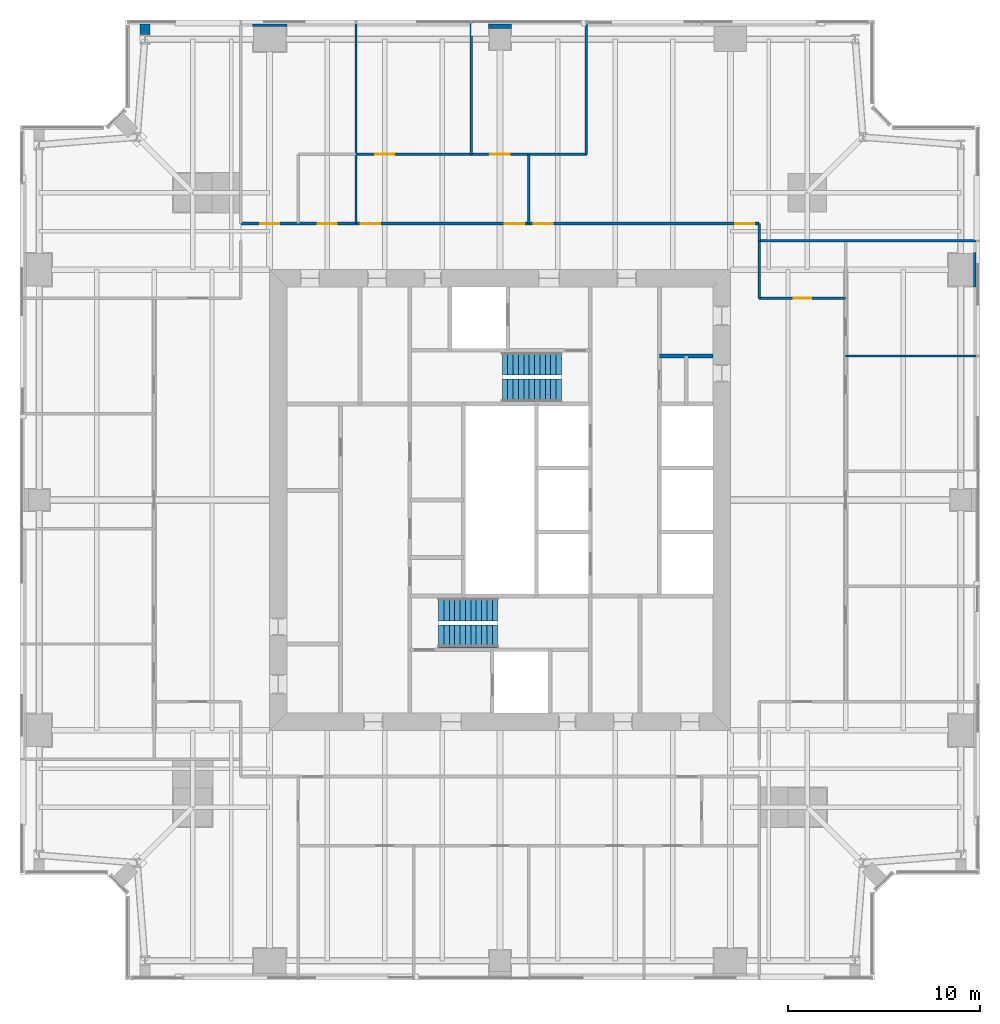
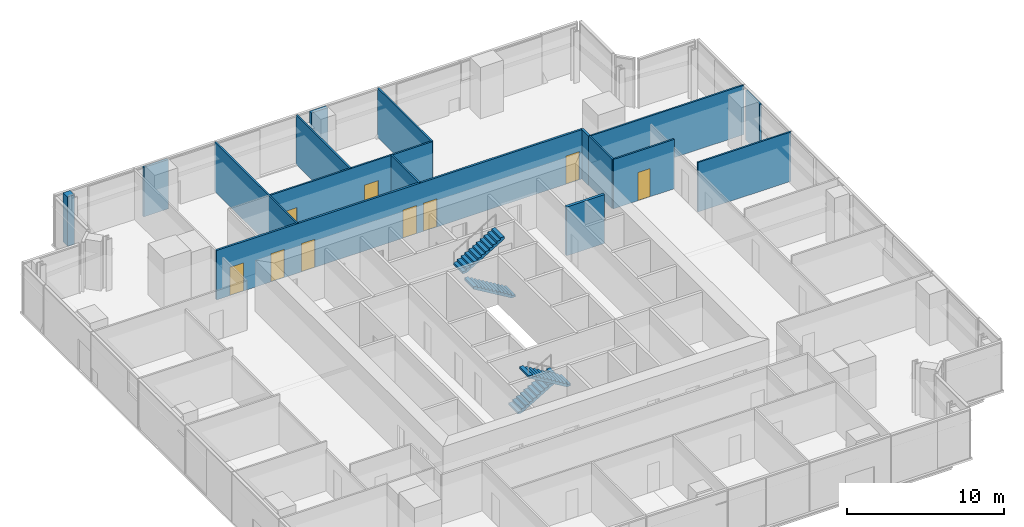
# One storey, part 12 of 14: 16 walls, 9 doors, 4 stair flights, 9 openings, 2 elements without a shape of their own.
"""IFC4 building model written with IfcOpenShell, lengths in metres."""

from ifc_helpers import new_model, si_unit, direction, frame, frame_2d, origin, place, context, subcontext, project, spatial, polyline, rectangle, outline, extrude, material, layer, layer_set, type_object, element, fill, aggregate, save


model = new_model("IFC4")

# Units and contexts
model_context = context("Model", 3, precision=1e-05, world=origin(), true_north=direction((0.0, 1.0)))
body_context = subcontext(model_context, "Body", "Model", "MODEL_VIEW")
ifc_project = project(units=[si_unit("LENGTHUNIT", "METRE"), si_unit("AREAUNIT", "SQUARE_METRE"), si_unit("VOLUMEUNIT", "CUBIC_METRE"), si_unit("PLANEANGLEUNIT", "RADIAN"), si_unit("MASSUNIT", "GRAM", prefix="KILO")], contexts=[model_context])

# Site, building, storey
site_placement = place(None, origin())
site = spatial("IfcSite", under=ifc_project, at=site_placement, CompositionType="ELEMENT")
building_placement = place(site_placement, origin())
building = spatial("IfcBuilding", under=site, at=building_placement, Name="Fenwick Lantern Interchange", CompositionType="ELEMENT")
storey_placement = place(building_placement, frame((0.0, 0.0, 225.800048828125)))
storey = spatial("IfcBuildingStorey", under=building, at=storey_placement, Name="L53", CompositionType="ELEMENT", Elevation=225.800048828125)

# Walls
ifc_material_1 = material(Name="Fire-rated gypsum board encasement on steel studs, 2 hour", Category="steel")
ifc_layer_1 = layer(ifc_material_1, 1.199951171875)
ifc_layer_set_1 = layer_set([ifc_layer_1], Name="COLUMN PIER 1200")
wall_type_1 = type_object("IfcWallType", Name="COLUMN PIER 1200", PredefinedType="PARTITIONING", material=ifc_layer_set_1)
wall_1_placement = place(storey_placement, frame((25.0, 49.800048828125, 0.0), z_axis=(0.0, 0.0, 1.0), x_axis=(0.0, -1.0, 0.0)))
element("IfcWall", 1, at=wall_1_placement, inside=storey, type_object=wall_type_1, Name="L53/W/PIER/CN3", PredefinedType="PARTITIONING", context=body_context, shape_type="SweptSolid", body=[
    extrude(rectangle(XDim=0.25, YDim=1.199951171875, at=frame_2d((0.125, 0.0))), origin(), (0.0, 0.0, 1.0), 3.849853515625),
])
ifc_layer_2 = layer(ifc_material_1, 1.800048828125)
ifc_layer_set_2 = layer_set([ifc_layer_2], Name="COLUMN PIER 1800")
wall_type_2 = type_object("IfcWallType", Name="COLUMN PIER 1800", PredefinedType="PARTITIONING", material=ifc_layer_set_2)
for number, where, z_axis, x_axis, name in (
    (2, (49.800048828125, 37.0, 0.0), (0.0, 0.0, 1.0), (-1.0, 0.0, 0.0), "L53/W/PIER/CE4"),
    (3, (13.0, 49.800048828125, 0.0), (0.0, 0.0, 1.0), (0.0, -1.0, 0.0), "L53/W/PIER/CN4"),
):
    element("IfcWall", number, at=place(storey_placement, frame(where, z_axis=z_axis, x_axis=x_axis)), inside=storey, type_object=wall_type_2, Name=name, PredefinedType="PARTITIONING", context=body_context, shape_type="SweptSolid", body=[
        extrude(rectangle(XDim=0.150146484375, YDim=1.800048828125, at=frame_2d((0.0751953125, 0.0))), origin(), (0.0, 0.0, 1.0), 3.849853515625),
    ])
ifc_layer_3 = layer(ifc_material_1, 0.52392578125)
ifc_layer_set_3 = layer_set([ifc_layer_3], Name="COLUMN PIER 524")
wall_type_3 = type_object("IfcWallType", Name="COLUMN PIER 524", PredefinedType="PARTITIONING", material=ifc_layer_set_3)
wall_2_placement = place(storey_placement, frame((6.5, 49.800048828125, 0.0), z_axis=(0.0, 0.0, 1.0), x_axis=(0.0, -1.0, 0.0)))
element("IfcWall", 4, at=wall_2_placement, inside=storey, type_object=wall_type_3, Name="L53/W/PIER/CN5", PredefinedType="PARTITIONING", context=body_context, shape_type="SweptSolid", body=[
    extrude(rectangle(XDim=0.5625, YDim=0.52392578125, at=frame_2d((0.28125, 0.0))), origin(), (0.0, 0.0, 1.0), 3.849853515625),
])
ifc_material_2 = material(Name="Concrete masonry ASTM C90 Grade N", Category="masonry")
ifc_layer_4 = layer(ifc_material_2, 0.199951171875)
ifc_layer_set_4 = layer_set([ifc_layer_4], Name="Concrete masonry ASTM C90 Grade N")
wall_type_4 = type_object("IfcWallType", Name="CORE PARTITION 200", PredefinedType="PARTITIONING", material=ifc_layer_set_4)
wall_3_placement = place(storey_placement, frame((36.10009765625, 32.5, 0.0), z_axis=(0.0, 0.0, 1.0), x_axis=(-1.0, 0.0, 0.0)))
element("IfcWall", 5, at=wall_3_placement, inside=storey, type_object=wall_type_4, Name="L53/W/COREN/p1", PredefinedType="PARTITIONING", context=body_context, shape_type="SweptSolid", body=[
    extrude(rectangle(XDim=2.800048828125, YDim=0.199951171875, at=frame_2d((1.39990234375, 0.0))), origin(), (0.0, 0.0, 1.0), 3.800048828125),
])
ifc_material_3 = material(Name="Gypsum board on steel studs, 1 hour", Category="steel")
ifc_layer_5 = layer(ifc_material_3, 0.14990234375)
ifc_layer_set_5 = layer_set([ifc_layer_5], Name="CORRIDOR WALL 150")
wall_type_5 = type_object("IfcWallType", Name="CORRIDOR WALL 150", PredefinedType="PARTITIONING", material=ifc_layer_set_5)
wall_4_placement = place(storey_placement, frame((38.5, 38.5, 0.0), z_axis=(0.0, 0.0, 1.0), x_axis=(0.0, 1.0, 0.0)))
element("IfcWall", 6, at=wall_4_placement, inside=storey, type_object=wall_type_5, Name="L53/W/OFF/N/CWJ", PredefinedType="PARTITIONING", context=body_context, shape_type="SweptSolid", body=[
    extrude(rectangle(XDim=0.89990234375, YDim=0.14990234375, at=frame_2d((0.449951171875, 0.0))), origin(), (0.0, 0.0, 1.0), 3.849853515625),
])

# Wall, openings, doors
wall_5_placement = place(storey_placement, frame((38.5, 39.39990234375, 0.0), z_axis=(0.0, 0.0, 1.0), x_axis=(-1.0, 0.0, 0.0)))
wall_5 = element("IfcWall", 7, at=wall_5_placement, inside=storey, type_object=wall_type_5, Name="L53/W/OFF/N/CW2", PredefinedType="PARTITIONING", context=body_context, shape_type="SweptSolid", body=[
    extrude(rectangle(XDim=27.0, YDim=0.14990234375, at=frame_2d((13.5, 0.0))), origin(), (0.0, 0.0, 1.0), 3.849853515625),
])
opening_1_placement = place(wall_5_placement, frame((12.25, 0.0, 0.0)))
opening_1 = element("IfcOpeningElement", 8, at=opening_1_placement, cuts=wall_5, Name="Opening L53-D036", PredefinedType="OPENING", context=body_context, shape_type="SweptSolid", body=[
    extrude(rectangle(XDim=1.0, YDim=2.199951171875, at=frame_2d((0.5, 1.10009765625))), frame((0.0, 0.0849609375, 0.0), z_axis=(0.0, -1.0, 0.0), x_axis=(1.0, 0.0, 0.0)), (0.0, 0.0, 1.0), 0.169921875),
])
opening_2_placement = place(wall_5_placement, frame((19.75, 0.0, 0.0)))
opening_2 = element("IfcOpeningElement", 9, at=opening_2_placement, cuts=wall_5, Name="Opening L53-D037", PredefinedType="OPENING", context=body_context, shape_type="SweptSolid", body=[
    extrude(rectangle(XDim=1.0, YDim=2.199951171875, at=frame_2d((0.5, 1.10009765625))), frame((0.0, 0.0849609375, 0.0), z_axis=(0.0, -1.0, 0.0), x_axis=(1.0, 0.0, 0.0)), (0.0, 0.0, 1.0), 0.169921875),
])
opening_3_placement = place(wall_5_placement, frame((0.25, 0.0, 0.0)))
opening_3 = element("IfcOpeningElement", 10, at=opening_3_placement, cuts=wall_5, Name="Opening L53-D040", PredefinedType="OPENING", context=body_context, shape_type="SweptSolid", body=[
    extrude(rectangle(XDim=1.0, YDim=2.199951171875, at=frame_2d((0.5, 1.10009765625))), frame((0.0, 0.0849609375, 0.0), z_axis=(0.0, -1.0, 0.0), x_axis=(1.0, 0.0, 0.0)), (0.0, 0.0, 1.0), 0.169921875),
])
opening_4_placement = place(wall_5_placement, frame((10.75, 0.0, 0.0)))
opening_4 = element("IfcOpeningElement", 11, at=opening_4_placement, cuts=wall_5, Name="Opening L53-D041", PredefinedType="OPENING", context=body_context, shape_type="SweptSolid", body=[
    extrude(rectangle(XDim=1.0, YDim=2.199951171875, at=frame_2d((0.5, 1.10009765625))), frame((0.0, 0.0849609375, 0.0), z_axis=(0.0, -1.0, 0.0), x_axis=(1.0, 0.0, 0.0)), (0.0, 0.0, 1.0), 0.169921875),
])
opening_5_placement = place(wall_5_placement, frame((22.0, 0.0, 0.0)))
opening_5 = element("IfcOpeningElement", 12, at=opening_5_placement, cuts=wall_5, Name="Opening L53-D042", PredefinedType="OPENING", context=body_context, shape_type="SweptSolid", body=[
    extrude(rectangle(XDim=1.0, YDim=2.199951171875, at=frame_2d((0.5, 1.10009765625))), frame((0.0, 0.0849609375, 0.0), z_axis=(0.0, -1.0, 0.0), x_axis=(1.0, 0.0, 0.0)), (0.0, 0.0, 1.0), 0.169921875),
])
opening_6_placement = place(wall_5_placement, frame((25.0, 0.0, 0.0)))
opening_6 = element("IfcOpeningElement", 13, at=opening_6_placement, cuts=wall_5, Name="Opening L53-D043", PredefinedType="OPENING", context=body_context, shape_type="SweptSolid", body=[
    extrude(rectangle(XDim=1.0, YDim=2.199951171875, at=frame_2d((0.5, 1.10009765625))), frame((0.0, 0.0849609375, 0.0), z_axis=(0.0, -1.0, 0.0), x_axis=(1.0, 0.0, 0.0)), (0.0, 0.0, 1.0), 0.169921875),
])
ifc_material_4 = material(Name="Steel door and frame", Category="steel")
door_type_1 = type_object("IfcDoorType", Name="SUITE ENTRANCE DOOR 1000 X 2200", OperationType="SINGLE_SWING_LEFT", PredefinedType="DOOR", material=ifc_material_4)
door_1_placement = place(opening_1_placement, origin())
door_1 = element("IfcDoor", 14, at=door_1_placement, inside=storey, type_object=door_type_1, Name="Suite entrance door", OperationType="SINGLE_SWING_LEFT", OverallHeight=2.199951171875, OverallWidth=1.0, PredefinedType="DOOR", context=body_context, shape_type="SweptSolid", body=[
    extrude(rectangle(XDim=1.0, YDim=2.199951171875, at=frame_2d((0.5, 1.10009765625))), frame((0.0, 0.02490234375, 0.0), z_axis=(0.0, -1.0, 0.0), x_axis=(1.0, 0.0, 0.0)), (0.0, 0.0, 1.0), 0.050048828125),
])
fill(opening_1, door_1)
door_2_placement = place(opening_2_placement, origin())
door_2 = element("IfcDoor", 15, at=door_2_placement, inside=storey, type_object=door_type_1, Name="Suite entrance door", OperationType="SINGLE_SWING_RIGHT", OverallHeight=2.199951171875, OverallWidth=1.0, PredefinedType="DOOR", context=body_context, shape_type="SweptSolid", body=[
    extrude(rectangle(XDim=1.0, YDim=2.199951171875, at=frame_2d((0.5, 1.10009765625))), frame((0.0, 0.02490234375, 0.0), z_axis=(0.0, -1.0, 0.0), x_axis=(1.0, 0.0, 0.0)), (0.0, 0.0, 1.0), 0.050048828125),
])
fill(opening_2, door_2)
door_3_placement = place(opening_3_placement, origin())
door_3 = element("IfcDoor", 16, at=door_3_placement, inside=storey, type_object=door_type_1, Name="Suite entrance door", OperationType="SINGLE_SWING_LEFT", OverallHeight=2.199951171875, OverallWidth=1.0, PredefinedType="DOOR", context=body_context, shape_type="SweptSolid", body=[
    extrude(rectangle(XDim=1.0, YDim=2.199951171875, at=frame_2d((0.5, 1.10009765625))), frame((0.0, 0.02490234375, 0.0), z_axis=(0.0, -1.0, 0.0), x_axis=(1.0, 0.0, 0.0)), (0.0, 0.0, 1.0), 0.050048828125),
])
fill(opening_3, door_3)
door_4_placement = place(opening_4_placement, origin())
door_4 = element("IfcDoor", 17, at=door_4_placement, inside=storey, type_object=door_type_1, Name="Suite entrance door", OperationType="SINGLE_SWING_LEFT", OverallHeight=2.199951171875, OverallWidth=1.0, PredefinedType="DOOR", context=body_context, shape_type="SweptSolid", body=[
    extrude(rectangle(XDim=1.0, YDim=2.199951171875, at=frame_2d((0.5, 1.10009765625))), frame((0.0, 0.02490234375, 0.0), z_axis=(0.0, -1.0, 0.0), x_axis=(1.0, 0.0, 0.0)), (0.0, 0.0, 1.0), 0.050048828125),
])
fill(opening_4, door_4)
door_5_placement = place(opening_5_placement, frame((1.0, 0.0, 0.0), z_axis=(0.0, 0.0, 1.0), x_axis=(-1.0, 0.0, 0.0)))
door_5 = element("IfcDoor", 18, at=door_5_placement, inside=storey, type_object=door_type_1, Name="Suite entrance door", OperationType="SINGLE_SWING_RIGHT", OverallHeight=2.199951171875, OverallWidth=1.0, PredefinedType="DOOR", context=body_context, shape_type="SweptSolid", body=[
    extrude(rectangle(XDim=1.0, YDim=2.199951171875, at=frame_2d((0.5, 1.10009765625))), frame((0.0, 0.02490234375, 0.0), z_axis=(0.0, -1.0, 0.0), x_axis=(1.0, 0.0, 0.0)), (0.0, 0.0, 1.0), 0.050048828125),
])
fill(opening_5, door_5)
door_6_placement = place(opening_6_placement, frame((1.0, 0.0, 0.0), z_axis=(0.0, 0.0, 1.0), x_axis=(-1.0, 0.0, 0.0)))
door_6 = element("IfcDoor", 19, at=door_6_placement, inside=storey, type_object=door_type_1, Name="Suite entrance door", OperationType="SINGLE_SWING_RIGHT", OverallHeight=2.199951171875, OverallWidth=1.0, PredefinedType="DOOR", context=body_context, shape_type="SweptSolid", body=[
    extrude(rectangle(XDim=1.0, YDim=2.199951171875, at=frame_2d((0.5, 1.10009765625))), frame((0.0, 0.02490234375, 0.0), z_axis=(0.0, -1.0, 0.0), x_axis=(1.0, 0.0, 0.0)), (0.0, 0.0, 1.0), 0.050048828125),
])
fill(opening_6, door_6)

# Wall
ifc_material_5 = material(Name="Gypsum board on steel studs, acoustic", Category="steel")
ifc_layer_6 = layer(ifc_material_5, 0.125)
ifc_layer_set_6 = layer_set([ifc_layer_6], Name="OFFICE PARTITION 125")
wall_type_6 = type_object("IfcWallType", Name="OFFICE PARTITION 125", PredefinedType="PARTITIONING", material=ifc_layer_set_6)
wall_6_placement = place(storey_placement, frame((49.85009765625, 32.5, 0.0), z_axis=(0.0, 0.0, 1.0), x_axis=(-1.0, 0.0, 0.0)))
element("IfcWall", 20, at=wall_6_placement, inside=storey, type_object=wall_type_6, Name="L53/W/OFF/E/X325-1", PredefinedType="PARTITIONING", context=body_context, shape_type="SweptSolid", body=[
    extrude(rectangle(XDim=6.85009765625, YDim=0.125, at=frame_2d((3.425048828125, 0.0))), origin(), (0.0, 0.0, 1.0), 3.849853515625),
])

# Wall, opening, door
wall_7_placement = place(storey_placement, frame((43.0, 35.5, 0.0), z_axis=(0.0, 0.0, 1.0), x_axis=(-1.0, 0.0, 0.0)))
wall_7 = element("IfcWall", 21, at=wall_7_placement, inside=storey, type_object=wall_type_6, Name="L53/W/OFF/E/X355-1", PredefinedType="PARTITIONING", context=body_context, shape_type="SweptSolid", body=[
    extrude(rectangle(XDim=4.5, YDim=0.125, at=frame_2d((2.25, 0.0))), origin(), (0.0, 0.0, 1.0), 3.849853515625),
])
opening_7_placement = place(wall_7_placement, frame((1.800048828125, 0.0, 0.0)))
opening_7 = element("IfcOpeningElement", 22, at=opening_7_placement, cuts=wall_7, Name="Opening L53-D035", PredefinedType="OPENING", context=body_context, shape_type="SweptSolid", body=[
    extrude(rectangle(XDim=0.89990234375, YDim=2.199951171875, at=frame_2d((0.449951171875, 1.10009765625))), frame((0.0, 0.072509765625, 0.0), z_axis=(0.0, -1.0, 0.0), x_axis=(1.0, 0.0, 0.0)), (0.0, 0.0, 1.0), 0.14501953125),
])
ifc_material_6 = material(Name="Hardwood door and steel frame", Category="steel")
door_type_2 = type_object("IfcDoorType", Name="OFFICE DOOR 900 X 2200", OperationType="SINGLE_SWING_LEFT", PredefinedType="DOOR", material=ifc_material_6)
door_7_placement = place(opening_7_placement, frame((0.89990234375, 0.0, 0.0), z_axis=(0.0, 0.0, 1.0), x_axis=(-1.0, 0.0, 0.0)))
door_7 = element("IfcDoor", 23, at=door_7_placement, inside=storey, type_object=door_type_2, Name="Office door", OperationType="SINGLE_SWING_RIGHT", OverallHeight=2.199951171875, OverallWidth=0.89990234375, PredefinedType="DOOR", context=body_context, shape_type="SweptSolid", body=[
    extrude(rectangle(XDim=0.89990234375, YDim=2.199951171875, at=frame_2d((0.449951171875, 1.10009765625))), frame((0.0, 0.02490234375, 0.0), z_axis=(0.0, -1.0, 0.0), x_axis=(1.0, 0.0, 0.0)), (0.0, 0.0, 1.0), 0.050048828125),
])
fill(opening_7, door_7)

# Walls
wall_8_placement = place(storey_placement, frame((38.5, 35.5, 0.0), z_axis=(0.0, 0.0, 1.0), x_axis=(0.0, 1.0, 0.0)))
element("IfcWall", 24, at=wall_8_placement, inside=storey, type_object=wall_type_6, Name="L53/W/OFF/E/CWS2", PredefinedType="PARTITIONING", context=body_context, shape_type="SweptSolid", body=[
    extrude(rectangle(XDim=3.0, YDim=0.125, at=frame_2d((1.5, 0.0))), origin(), (0.0, 0.0, 1.0), 3.849853515625),
])
wall_9_placement = place(storey_placement, frame((49.85009765625, 38.5, 0.0), z_axis=(0.0, 0.0, 1.0), x_axis=(-1.0, 0.0, 0.0)))
element("IfcWall", 25, at=wall_9_placement, inside=storey, type_object=wall_type_6, Name="L53/W/OFF/N/BACK", PredefinedType="PARTITIONING", context=body_context, shape_type="SweptSolid", body=[
    extrude(rectangle(XDim=11.35009765625, YDim=0.125, at=frame_2d((5.675048828125, 0.0))), origin(), (0.0, 0.0, 1.0), 3.849853515625),
])
wall_10_placement = place(storey_placement, frame((29.5, 49.85009765625, 0.0), z_axis=(0.0, 0.0, 1.0), x_axis=(0.0, -1.0, 0.0)))
element("IfcWall", 26, at=wall_10_placement, inside=storey, type_object=wall_type_6, Name="L53/W/OFF/N/X205-1", PredefinedType="PARTITIONING", context=body_context, shape_type="SweptSolid", body=[
    extrude(rectangle(XDim=6.85009765625, YDim=0.125, at=frame_2d((3.425048828125, 0.0))), origin(), (0.0, 0.0, 1.0), 3.849853515625),
])
wall_11_placement = place(storey_placement, frame((26.5, 43.0, 0.0), z_axis=(0.0, 0.0, 1.0), x_axis=(0.0, -1.0, 0.0)))
element("IfcWall", 27, at=wall_11_placement, inside=storey, type_object=wall_type_6, Name="L53/W/OFF/N/X235-1", PredefinedType="PARTITIONING", context=body_context, shape_type="SweptSolid", body=[
    extrude(rectangle(XDim=3.60009765625, YDim=0.125, at=frame_2d((1.800048828125, 0.0))), origin(), (0.0, 0.0, 1.0), 3.849853515625),
])
wall_12_placement = place(storey_placement, frame((23.5, 49.85009765625, 0.0), z_axis=(0.0, 0.0, 1.0), x_axis=(0.0, -1.0, 0.0)))
element("IfcWall", 28, at=wall_12_placement, inside=storey, type_object=wall_type_6, Name="L53/W/OFF/N/X265-1", PredefinedType="PARTITIONING", context=body_context, shape_type="SweptSolid", body=[
    extrude(rectangle(XDim=6.85009765625, YDim=0.125, at=frame_2d((3.425048828125, 0.0))), origin(), (0.0, 0.0, 1.0), 3.849853515625),
])
wall_13_placement = place(storey_placement, frame((17.5, 49.85009765625, 0.0), z_axis=(0.0, 0.0, 1.0), x_axis=(0.0, -1.0, 0.0)))
element("IfcWall", 29, at=wall_13_placement, inside=storey, type_object=wall_type_6, Name="L53/W/OFF/N/X325-1", PredefinedType="PARTITIONING", context=body_context, shape_type="SweptSolid", body=[
    extrude(rectangle(XDim=10.4501953125, YDim=0.125, at=frame_2d((5.22509765625, 0.0))), origin(), (0.0, 0.0, 1.0), 3.849853515625),
])

# Wall, openings, doors
wall_14_placement = place(storey_placement, frame((29.5, 43.0, 0.0), z_axis=(0.0, 0.0, 1.0), x_axis=(-1.0, 0.0, 0.0)))
wall_14 = element("IfcWall", 30, at=wall_14_placement, inside=storey, type_object=wall_type_6, Name="L53/W/OFF/N/Y70-1", PredefinedType="PARTITIONING", context=body_context, shape_type="SweptSolid", body=[
    extrude(rectangle(XDim=12.0, YDim=0.125, at=frame_2d((6.0, 0.0))), origin(), (0.0, 0.0, 1.0), 3.849853515625),
])
opening_8_placement = place(wall_14_placement, frame((4.0, 0.0, 0.0)))
opening_8 = element("IfcOpeningElement", 31, at=opening_8_placement, cuts=wall_14, Name="Opening L53-D038", PredefinedType="OPENING", context=body_context, shape_type="SweptSolid", body=[
    extrude(rectangle(XDim=1.0, YDim=2.199951171875, at=frame_2d((0.5, 1.10009765625))), frame((0.0, 0.072509765625, 0.0), z_axis=(0.0, -1.0, 0.0), x_axis=(1.0, 0.0, 0.0)), (0.0, 0.0, 1.0), 0.14501953125),
])
opening_9_placement = place(wall_14_placement, frame((10.0, 0.0, 0.0)))
opening_9 = element("IfcOpeningElement", 32, at=opening_9_placement, cuts=wall_14, Name="Opening L53-D039", PredefinedType="OPENING", context=body_context, shape_type="SweptSolid", body=[
    extrude(rectangle(XDim=1.0, YDim=2.199951171875, at=frame_2d((0.5, 1.10009765625))), frame((0.0, 0.072509765625, 0.0), z_axis=(0.0, -1.0, 0.0), x_axis=(1.0, 0.0, 0.0)), (0.0, 0.0, 1.0), 0.14501953125),
])
door_type_3 = type_object("IfcDoorType", Name="MEETING ROOM DOOR 1000 X 2200", OperationType="SINGLE_SWING_LEFT", PredefinedType="DOOR", material=ifc_material_6)
door_8_placement = place(opening_8_placement, frame((1.0, 0.0, 0.0), z_axis=(0.0, 0.0, 1.0), x_axis=(-1.0, 0.0, 0.0)))
door_8 = element("IfcDoor", 33, at=door_8_placement, inside=storey, type_object=door_type_3, Name="Meeting room door", OperationType="SINGLE_SWING_LEFT", OverallHeight=2.199951171875, OverallWidth=1.0, PredefinedType="DOOR", context=body_context, shape_type="SweptSolid", body=[
    extrude(rectangle(XDim=1.0, YDim=2.199951171875, at=frame_2d((0.5, 1.10009765625))), frame((0.0, 0.02490234375, 0.0), z_axis=(0.0, -1.0, 0.0), x_axis=(1.0, 0.0, 0.0)), (0.0, 0.0, 1.0), 0.050048828125),
])
fill(opening_8, door_8)
door_9_placement = place(opening_9_placement, frame((1.0, 0.0, 0.0), z_axis=(0.0, 0.0, 1.0), x_axis=(-1.0, 0.0, 0.0)))
door_9 = element("IfcDoor", 34, at=door_9_placement, inside=storey, type_object=door_type_3, Name="Meeting room door", OperationType="SINGLE_SWING_LEFT", OverallHeight=2.199951171875, OverallWidth=1.0, PredefinedType="DOOR", context=body_context, shape_type="SweptSolid", body=[
    extrude(rectangle(XDim=1.0, YDim=2.199951171875, at=frame_2d((0.5, 1.10009765625))), frame((0.0, 0.02490234375, 0.0), z_axis=(0.0, -1.0, 0.0), x_axis=(1.0, 0.0, 0.0)), (0.0, 0.0, 1.0), 0.050048828125),
])
fill(opening_9, door_9)

# Stair, stair flights
ifc_material_7 = material(Name="Precast concrete f'c 35 MPa", Category="concrete")
stair_type = type_object("IfcStairType", Name="EXIT STAIR 1200", PredefinedType="HALF_TURN_STAIR", material=ifc_material_7)
stair_1_placement = place(storey_placement, origin())
stair_1 = element("IfcStair", 35, at=stair_1_placement, inside=storey, type_object=stair_type, Name="Exit stair ST1", PredefinedType="HALF_TURN_STAIR")
stair_flight_type = type_object("IfcStairFlightType", Name="STAIR FLIGHT 1200", PredefinedType="STRAIGHT", material=ifc_material_7)
stair_flight_1_placement = place(storey_placement, frame((21.800048828125, 19.300048828125, 0.0), z_axis=(0.0, 0.0, 1.0), x_axis=(1.0, 0.0, 0.0)))
stair_flight_1 = element("IfcStairFlight", 36, at=stair_flight_1_placement, type_object=stair_flight_type, Name="ST1 flight 1", NumberOfRisers=12, NumberOfTreads=11, PredefinedType="STRAIGHT", RiserHeight=0.166666667, TreadLength=0.28, context=body_context, shape_type="SweptSolid", body=[
    extrude(outline(polyline([(0.0, 0.0), (0.0, 0.166748046875), (0.280029296875, 0.166748046875), (0.280029296875, 0.333251953125), (0.56005859375, 0.333251953125), (0.56005859375, 0.5), (0.840087890625, 0.5), (0.840087890625, 0.666748046875), (1.1201171875, 0.666748046875), (1.1201171875, 0.833251953125), (1.39990234375, 0.833251953125), (1.39990234375, 1.0), (1.679931640625, 1.0), (1.679931640625, 1.166748046875), (1.9599609375, 1.166748046875), (1.9599609375, 1.333251953125), (2.239990234375, 1.333251953125), (2.239990234375, 1.5), (2.52001953125, 1.5), (2.52001953125, 1.666748046875), (2.800048828125, 1.666748046875), (2.800048828125, 1.833251953125), (3.080078125, 1.833251953125), (3.080078125, 2.0), (3.080078125, 1.658935546875), (0.29296875, 0.0), (0.0, 0.0)])), frame((0.0, 0.60009765625, 0.0), z_axis=(0.0, -1.0, 0.0), x_axis=(1.0, 0.0, 0.0)), (0.0, 0.0, 1.0), 1.199951171875),
])
stair_flight_2_placement = place(storey_placement, frame((24.8798828125, 17.89990234375, 2.0), z_axis=(0.0, 0.0, 1.0), x_axis=(-1.0, 0.0, 0.0)))
stair_flight_2 = element("IfcStairFlight", 37, at=stair_flight_2_placement, type_object=stair_flight_type, Name="ST1 flight 2", NumberOfRisers=12, NumberOfTreads=11, PredefinedType="STRAIGHT", RiserHeight=0.166666667, TreadLength=0.28, context=body_context, shape_type="SweptSolid", body=[
    extrude(outline(polyline([(0.0, 0.0), (0.0, 0.166748046875), (0.280029296875, 0.166748046875), (0.280029296875, 0.333251953125), (0.56005859375, 0.333251953125), (0.56005859375, 0.5), (0.840087890625, 0.5), (0.840087890625, 0.666748046875), (1.1201171875, 0.666748046875), (1.1201171875, 0.833251953125), (1.39990234375, 0.833251953125), (1.39990234375, 1.0), (1.679931640625, 1.0), (1.679931640625, 1.166748046875), (1.9599609375, 1.166748046875), (1.9599609375, 1.333251953125), (2.239990234375, 1.333251953125), (2.239990234375, 1.5), (2.52001953125, 1.5), (2.52001953125, 1.666748046875), (2.800048828125, 1.666748046875), (2.800048828125, 1.833251953125), (3.080078125, 1.833251953125), (3.080078125, 2.0), (3.080078125, 1.658935546875), (0.29296875, 0.0), (0.0, 0.0)])), frame((0.0, 0.60009765625, 0.0), z_axis=(0.0, -1.0, 0.0), x_axis=(1.0, 0.0, 0.0)), (0.0, 0.0, 1.0), 1.199951171875),
])
aggregate(stair_1, [stair_flight_1, stair_flight_2])

stair_2_placement = place(storey_placement, origin())
stair_2 = element("IfcStair", 38, at=stair_2_placement, inside=storey, type_object=stair_type, Name="Exit stair ST2", PredefinedType="HALF_TURN_STAIR")
stair_flight_3_placement = place(storey_placement, frame((28.199951171875, 30.699951171875, 0.0), z_axis=(0.0, 0.0, 1.0), x_axis=(-1.0, 0.0, 0.0)))
stair_flight_3 = element("IfcStairFlight", 39, at=stair_flight_3_placement, type_object=stair_flight_type, Name="ST2 flight 1", NumberOfRisers=12, NumberOfTreads=11, PredefinedType="STRAIGHT", RiserHeight=0.166666667, TreadLength=0.28, context=body_context, shape_type="SweptSolid", body=[
    extrude(outline(polyline([(0.0, 0.0), (0.0, 0.166748046875), (0.280029296875, 0.166748046875), (0.280029296875, 0.333251953125), (0.56005859375, 0.333251953125), (0.56005859375, 0.5), (0.840087890625, 0.5), (0.840087890625, 0.666748046875), (1.1201171875, 0.666748046875), (1.1201171875, 0.833251953125), (1.39990234375, 0.833251953125), (1.39990234375, 1.0), (1.679931640625, 1.0), (1.679931640625, 1.166748046875), (1.9599609375, 1.166748046875), (1.9599609375, 1.333251953125), (2.239990234375, 1.333251953125), (2.239990234375, 1.5), (2.52001953125, 1.5), (2.52001953125, 1.666748046875), (2.800048828125, 1.666748046875), (2.800048828125, 1.833251953125), (3.080078125, 1.833251953125), (3.080078125, 2.0), (3.080078125, 1.658935546875), (0.29296875, 0.0), (0.0, 0.0)])), frame((0.0, 0.60009765625, 0.0), z_axis=(0.0, -1.0, 0.0), x_axis=(1.0, 0.0, 0.0)), (0.0, 0.0, 1.0), 1.199951171875),
])
stair_flight_4_placement = place(storey_placement, frame((25.1201171875, 32.10009765625, 2.0), z_axis=(0.0, 0.0, 1.0), x_axis=(1.0, 0.0, 0.0)))
stair_flight_4 = element("IfcStairFlight", 40, at=stair_flight_4_placement, type_object=stair_flight_type, Name="ST2 flight 2", NumberOfRisers=12, NumberOfTreads=11, PredefinedType="STRAIGHT", RiserHeight=0.166666667, TreadLength=0.28, context=body_context, shape_type="SweptSolid", body=[
    extrude(outline(polyline([(0.0, 0.0), (0.0, 0.166748046875), (0.280029296875, 0.166748046875), (0.280029296875, 0.333251953125), (0.56005859375, 0.333251953125), (0.56005859375, 0.5), (0.840087890625, 0.5), (0.840087890625, 0.666748046875), (1.1201171875, 0.666748046875), (1.1201171875, 0.833251953125), (1.39990234375, 0.833251953125), (1.39990234375, 1.0), (1.679931640625, 1.0), (1.679931640625, 1.166748046875), (1.9599609375, 1.166748046875), (1.9599609375, 1.333251953125), (2.239990234375, 1.333251953125), (2.239990234375, 1.5), (2.52001953125, 1.5), (2.52001953125, 1.666748046875), (2.800048828125, 1.666748046875), (2.800048828125, 1.833251953125), (3.080078125, 1.833251953125), (3.080078125, 2.0), (3.080078125, 1.658935546875), (0.29296875, 0.0), (0.0, 0.0)])), frame((0.0, 0.60009765625, 0.0), z_axis=(0.0, -1.0, 0.0), x_axis=(1.0, 0.0, 0.0)), (0.0, 0.0, 1.0), 1.199951171875),
])
aggregate(stair_2, [stair_flight_3, stair_flight_4])

save(model, "model.ifc")
